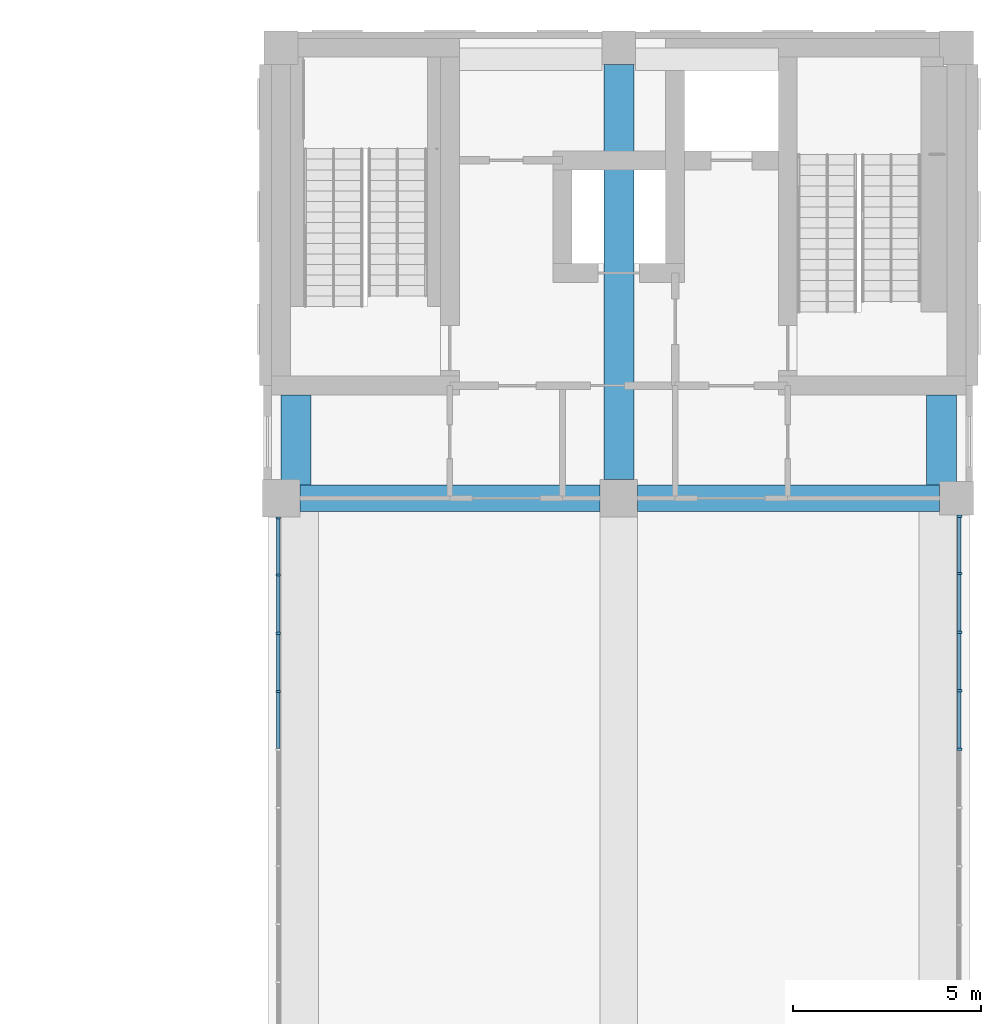
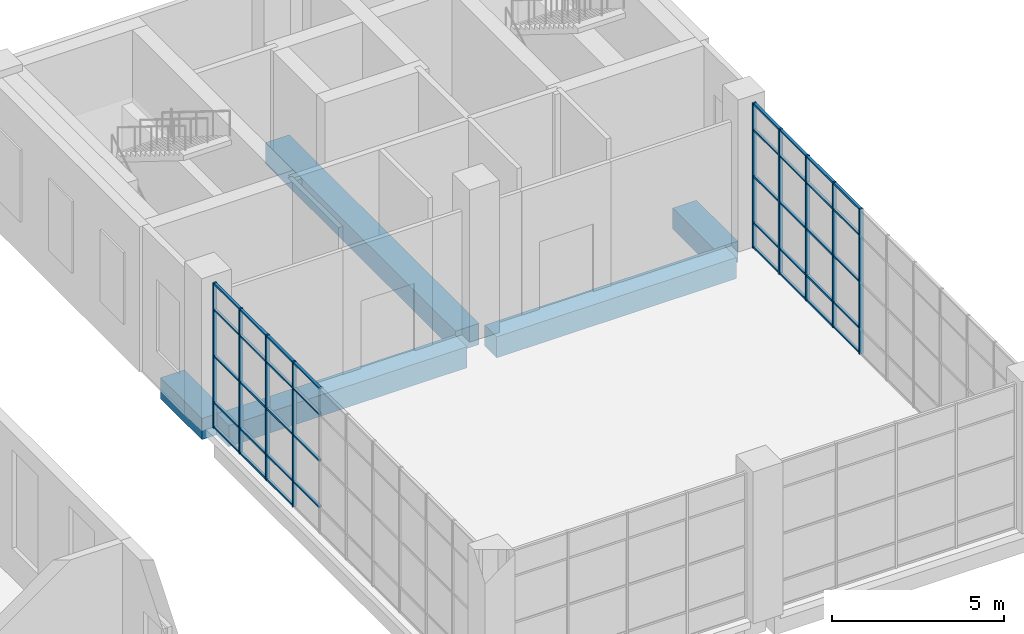
# One storey, part 8 of 33: 48 members, 5 beams, 2 elements without a shape of their own.
"""IFC4 building model written with IfcOpenShell, lengths in metres."""

import ifcopenshell
import ifcopenshell.guid

model = None  # the IFC model being written
_history = None  # IfcOwnerHistory: only IFC2X3 demands one
_inside = {}  # id of a spatial element -> (the spatial element, [elements in it])
_under = {}  # id of a project, library or spatial element -> (it, [spatial elements below it])
_declared = {}  # id of a project -> (the project, [libraries it declares])
_typed = {}  # id of a type object -> (the type object, [elements of that type])
_made_of = {}  # id of a material, layer set ... -> (it, [elements and type objects made of it])


def new_model(schema):
    """Start an empty IFC model of exactly this schema.

    Asked for "IFC4X3", IfcOpenShell would pick the latest addendum, in which some entities
    have other attributes; the version numbers below select the first issue.
    IFC2X3 requires an IfcOwnerHistory on every rooted entity: one is made here for all.
    """
    global model, _history
    if schema == "IFC4X3":
        model = ifcopenshell.file(schema_version=(4, 3, 0, 0))
    else:
        model = ifcopenshell.file(schema=schema)
    _inside.clear()
    _under.clear()
    _declared.clear()
    _typed.clear()
    _made_of.clear()
    _history = None
    if model.schema == "IFC2X3":
        org = make("IfcOrganization", Name="unknown")
        user = make(
            "IfcPersonAndOrganization",
            ThePerson=make("IfcPerson", FamilyName="unknown"),
            TheOrganization=org,
        )
        app = make(
            "IfcApplication",
            ApplicationDeveloper=org,
            Version="unknown",
            ApplicationFullName="unknown",
            ApplicationIdentifier="unknown",
        )
        _history = make(
            "IfcOwnerHistory",
            OwningUser=user,
            OwningApplication=app,
            ChangeAction="ADDED",
            CreationDate=0,
        )
    return model


def make(cls, **values):
    """One entity of the class cls with the attributes given. An attribute that is None is left unset."""
    return model.create_entity(
        cls, **{name: value for name, value in values.items() if value is not None}
    )


def rooted(cls, **values):
    """An entity with a GlobalId (a new one), such as an element, a storey or a relation."""
    return make(cls, GlobalId=ifcopenshell.guid.new(), OwnerHistory=_history, **values)


def si_unit(unit_type, name, prefix=None):
    """IfcSIUnit, for example si_unit("LENGTHUNIT", "METRE", prefix="MILLI")."""
    return make("IfcSIUnit", UnitType=unit_type, Prefix=prefix, Name=name)


def assignment(units):
    """IfcUnitAssignment: the units of a project."""
    return None if units is None else make("IfcUnitAssignment", Units=units)


def point(xyz):
    """IfcCartesianPoint."""
    return None if xyz is None else make("IfcCartesianPoint", Coordinates=xyz)


def direction(xyz):
    """IfcDirection."""
    return None if xyz is None else make("IfcDirection", DirectionRatios=xyz)


def frame(location, z_axis=None, x_axis=None):
    """IfcAxis2Placement3D, a coordinate frame: its origin and axes. An axis left out is left unset."""
    return make(
        "IfcAxis2Placement3D",
        Location=point(location),
        Axis=direction(z_axis),
        RefDirection=direction(x_axis),
    )


def frame_2d(location, x_axis=None):
    """IfcAxis2Placement2D, a coordinate frame in the plane: its origin and x axis."""
    return make(
        "IfcAxis2Placement2D", Location=point(location), RefDirection=direction(x_axis)
    )


def origin():
    """The frame at (0, 0, 0) with its axes left unset."""
    return frame((0.0, 0.0, 0.0))


def origin_2d():
    """The frame at (0, 0) in the plane with its x axis left unset."""
    return frame_2d((0.0, 0.0))


def place(relative_to, where):
    """IfcLocalPlacement: puts the frame where relative to a parent placement (None: the world)."""
    return make(
        "IfcLocalPlacement", PlacementRelTo=relative_to, RelativePlacement=where
    )


def context(
    kind, dimensions, precision=None, world=None, true_north=None, identifier=None
):
    """IfcGeometricRepresentationContext, for example the 3D "Model" context."""
    return make(
        "IfcGeometricRepresentationContext",
        ContextIdentifier=identifier,
        ContextType=kind,
        CoordinateSpaceDimension=dimensions,
        Precision=precision,
        WorldCoordinateSystem=world,
        TrueNorth=true_north,
    )


def subcontext(parent, identifier, kind, view, scale=None):
    """IfcGeometricRepresentationSubContext, for example "Body" below "Model"."""
    return make(
        "IfcGeometricRepresentationSubContext",
        ContextIdentifier=identifier,
        ContextType=kind,
        ParentContext=parent,
        TargetScale=scale,
        TargetView=view,
    )


def project(units=None, contexts=None):
    """IfcProject with its units and contexts."""
    return rooted(
        "IfcProject",
        Name="project",
        RepresentationContexts=contexts,
        UnitsInContext=assignment(units),
    )


def spatial(cls, under=None, at=None, **own):
    """A site, building, storey or space (cls), placed at a placement, below another one or the project."""
    s = rooted(cls, ObjectPlacement=at, **own)
    if under is not None:
        _under.setdefault(under.id(), (under, []))[1].append(s)
    return s


def profile(cls, at=None, kind="AREA", **sizes):
    """A parametric profile (cls). Its sizes go by their IFC names, for example OverallWidth=200.0."""
    return make(cls, ProfileType=kind, Position=at, **sizes)


def rectangle(**sizes):
    """IfcRectangleProfileDef."""
    return profile("IfcRectangleProfileDef", **sizes)


def extrude(swept, where, along, depth):
    """IfcExtrudedAreaSolid: the profile swept, set in the frame where, extruded along a direction by depth."""
    return make(
        "IfcExtrudedAreaSolid",
        SweptArea=swept,
        Position=where,
        ExtrudedDirection=direction(along),
        Depth=depth,
    )


def shape(context_of_items, identifier, shape_type, items):
    """IfcShapeRepresentation: the items that make up one representation, for example the "Body"."""
    return make(
        "IfcShapeRepresentation",
        ContextOfItems=context_of_items,
        RepresentationIdentifier=identifier,
        RepresentationType=shape_type,
        Items=items,
    )


def material(Name=None, Category=None):
    """IfcMaterial."""
    return make("IfcMaterial", Name=Name, Category=Category)


def layer(
    of_material, thickness, ventilated=None, Name=None, Category=None, Priority=None
):
    """IfcMaterialLayer: one layer of a wall or slab, of a material (None: an air gap)."""
    return make(
        "IfcMaterialLayer",
        Material=of_material,
        LayerThickness=thickness,
        IsVentilated=ventilated,
        Name=Name,
        Category=Category,
        Priority=Priority,
    )


def layer_set(layers, Name=None):
    """IfcMaterialLayerSet."""
    return make("IfcMaterialLayerSet", MaterialLayers=layers, LayerSetName=Name)


def material_profile(
    of_material, cross_section, Name=None, Category=None, Priority=None
):
    """IfcMaterialProfile: a cross section and its material."""
    return make(
        "IfcMaterialProfile",
        Name=Name,
        Material=of_material,
        Profile=cross_section,
        Priority=Priority,
        Category=Category,
    )


def profile_set(profiles, Name=None, composite=None):
    """IfcMaterialProfileSet."""
    return make(
        "IfcMaterialProfileSet",
        Name=Name,
        MaterialProfiles=profiles,
        CompositeProfile=composite,
    )


def made_of(thing, what):
    """Note that an element or type object is made of a material, layer set ...; save() writes the relation."""
    if what is not None:
        _made_of.setdefault(what.id(), (what, []))[1].append(thing)
    return thing


def type_object(cls, material=None, **own):
    """A type object (cls), such as IfcWallType, which elements share."""
    return made_of(rooted(cls, **own), material)


def element(
    cls,
    number,
    at=None,
    inside=None,
    cuts=None,
    type_object=None,
    material=None,
    context=None,
    identifier="Body",
    shape_type=None,
    held_by="IfcProductDefinitionShape",
    body=None,
    shapes=None,
    **own,
):
    """One element of the class cls, such as IfcWall. Its Tag is "e" and its number.

    at: its placement. inside: the storey or other place that contains it. cuts: it is an
    opening in that element (IfcRelVoidsElement). A single representation is given by context,
    identifier, shape_type and body (its items); several are given by shapes. held_by: the class
    of the entity that holds the representations. save() writes the other relations.
    """
    e = rooted(cls, Tag="e%d" % number, ObjectPlacement=at, **own)
    if body is not None:
        shapes = [shape(context, identifier, shape_type, body)]
    if shapes is not None:
        e.Representation = make(held_by, Representations=shapes)
    if inside is not None:
        _inside.setdefault(inside.id(), (inside, []))[1].append(e)
    if cuts is not None:
        rooted(
            "IfcRelVoidsElement", RelatingBuildingElement=cuts, RelatedOpeningElement=e
        )
    if type_object is not None:
        _typed.setdefault(type_object.id(), (type_object, []))[1].append(e)
    return made_of(e, material)


def aggregate(whole, parts):
    """IfcRelAggregates: a whole, such as a stair, and the parts it consists of."""
    return rooted("IfcRelAggregates", RelatingObject=whole, RelatedObjects=parts)


def save(model, path):
    """Write the relations noted so far, then the file.

    IfcRelAggregates (storeys below a building ...), IfcRelContainedInSpatialStructure (elements
    in a storey), IfcRelDefinesByType, IfcRelAssociatesMaterial and IfcRelDeclares: one each for
    every whole, place, type object, material and project.
    """
    for whole, parts in _under.values():
        aggregate(whole, parts)
    for where, things in _inside.values():
        rooted(
            "IfcRelContainedInSpatialStructure",
            RelatedElements=things,
            RelatingStructure=where,
        )
    for kind, things in _typed.values():
        rooted("IfcRelDefinesByType", RelatedObjects=things, RelatingType=kind)
    for what, things in _made_of.values():
        rooted("IfcRelAssociatesMaterial", RelatedObjects=things, RelatingMaterial=what)
    for by, libraries in _declared.values():
        rooted("IfcRelDeclares", RelatingContext=by, RelatedDefinitions=libraries)
    model.write(path)


model = new_model("IFC4")

# Units and contexts
model_context = context("Model", 3, precision=1e-05, world=origin(), true_north=direction((0.0, 1.0)))
body_context = subcontext(model_context, "Body", "Model", "MODEL_VIEW")
ifc_project = project(units=[si_unit("LENGTHUNIT", "METRE"), si_unit("AREAUNIT", "SQUARE_METRE"), si_unit("VOLUMEUNIT", "CUBIC_METRE"), si_unit("PLANEANGLEUNIT", "RADIAN"), si_unit("MASSUNIT", "GRAM", prefix="KILO")], contexts=[model_context])

# Site, building, storey
site_placement = place(None, origin())
site = spatial("IfcSite", under=ifc_project, at=site_placement, CompositionType="ELEMENT")
building_placement = place(site_placement, origin())
building = spatial("IfcBuilding", under=site, at=building_placement, Name="Aurelan Courthouse", CompositionType="ELEMENT")
storey_placement = place(building_placement, frame((0.0, 0.0, 22.800048828125)))
storey = spatial("IfcBuildingStorey", under=building, at=storey_placement, Name="L04", CompositionType="ELEMENT", Elevation=22.800048828125)

# Curtain wall, members
ifc_material_1 = material(Name="Bronze-finished aluminium and glass", Category="aluminium")
ifc_layer_1 = layer(ifc_material_1, 0.14990234375)
ifc_layer_set_1 = layer_set([ifc_layer_1], Name="Bronze-finished aluminium and glass")
curtain_wall_type_1 = type_object("IfcCurtainWallType", Name="Curtain wall 15600 x 5150", PredefinedType="NOTDEFINED", material=ifc_layer_set_1)
curtain_wall_1_placement = place(storey_placement, origin())
curtain_wall_1 = element("IfcCurtainWall", 1, at=curtain_wall_1_placement, inside=storey, type_object=curtain_wall_type_1, Name="Curtain wall CW-V3-L04-E01", PredefinedType="NOTDEFINED")
ifc_material_2 = material(Name="Bronze-finished aluminium", Category="aluminium")
ifc_material_profile_1 = material_profile(ifc_material_2, rectangle(XDim=0.125, YDim=0.06005859375, at=origin_2d()), Name="Bronze mullion 60 x 125")
ifc_profile_set_1 = profile_set([ifc_material_profile_1], Name="Bronze-finished aluminium")
member_type_1 = type_object("IfcMemberType", Name="Curtain wall mullion 60 x 125", PredefinedType="MULLION", material=ifc_profile_set_1)
member_1_placement = place(storey_placement, frame((90.074951171875, 47.31005859375, 0.0), z_axis=(0.0, 0.0, 1.0), x_axis=(-1.0, 0.0, 0.0)))
member_1 = element("IfcMember", 2, at=member_1_placement, type_object=member_type_1, Name="CW-V3-L04-E01 mullion 7", PredefinedType="MULLION", context=body_context, shape_type="SweptSolid", body=[
    extrude(rectangle(XDim=0.125, YDim=0.06005859375, at=origin_2d()), origin(), (0.0, 0.0, 1.0), 5.14990234375),
])
member_2_placement = place(storey_placement, frame((90.074951171875, 48.8701171875, 0.0), z_axis=(0.0, 0.0, 1.0), x_axis=(-1.0, 0.0, 0.0)))
member_2 = element("IfcMember", 3, at=member_2_placement, type_object=member_type_1, Name="CW-V3-L04-E01 mullion 8", PredefinedType="MULLION", context=body_context, shape_type="SweptSolid", body=[
    extrude(rectangle(XDim=0.125, YDim=0.06005859375, at=origin_2d()), origin(), (0.0, 0.0, 1.0), 5.14990234375),
])
member_3_placement = place(storey_placement, frame((90.074951171875, 50.429931640625, 0.0), z_axis=(0.0, 0.0, 1.0), x_axis=(-1.0, 0.0, 0.0)))
member_3 = element("IfcMember", 4, at=member_3_placement, type_object=member_type_1, Name="CW-V3-L04-E01 mullion 9", PredefinedType="MULLION", context=body_context, shape_type="SweptSolid", body=[
    extrude(rectangle(XDim=0.125, YDim=0.06005859375, at=origin_2d()), origin(), (0.0, 0.0, 1.0), 5.14990234375),
])
member_4_placement = place(storey_placement, frame((90.074951171875, 51.989990234375, 0.0), z_axis=(0.0, 0.0, 1.0), x_axis=(-1.0, 0.0, 0.0)))
member_4 = element("IfcMember", 5, at=member_4_placement, type_object=member_type_1, Name="CW-V3-L04-E01 mullion 10", PredefinedType="MULLION", context=body_context, shape_type="SweptSolid", body=[
    extrude(rectangle(XDim=0.125, YDim=0.06005859375, at=origin_2d()), origin(), (0.0, 0.0, 1.0), 5.14990234375),
])
member_5_placement = place(storey_placement, frame((90.074951171875, 53.52001953125, 0.0), z_axis=(0.0, 0.0, 1.0), x_axis=(-1.0, 0.0, 0.0)))
member_5 = element("IfcMember", 6, at=member_5_placement, type_object=member_type_1, Name="CW-V3-L04-E01 mullion 11", PredefinedType="MULLION", context=body_context, shape_type="SweptSolid", body=[
    extrude(rectangle(XDim=0.125, YDim=0.06005859375, at=origin_2d()), origin(), (0.0, 0.0, 1.0), 5.14990234375),
])

ifc_layer_2 = layer(ifc_material_1, 0.14990234375)
ifc_layer_set_2 = layer_set([ifc_layer_2], Name="Bronze-finished aluminium and glass")
curtain_wall_type_2 = type_object("IfcCurtainWallType", Name="Curtain wall 15500 x 5150", PredefinedType="NOTDEFINED", material=ifc_layer_set_2)
curtain_wall_2_placement = place(storey_placement, origin())
curtain_wall_2 = element("IfcCurtainWall", 7, at=curtain_wall_2_placement, inside=storey, type_object=curtain_wall_type_2, Name="Curtain wall CW-V3-L04-W01", PredefinedType="NOTDEFINED")
member_6_placement = place(storey_placement, frame((71.925048828125, 48.85009765625, 0.0), z_axis=(0.0, 0.0, 1.0), x_axis=(-1.0, 0.0, 0.0)))
member_6 = element("IfcMember", 8, at=member_6_placement, type_object=member_type_1, Name="CW-V3-L04-W01 mullion 8", PredefinedType="MULLION", context=body_context, shape_type="SweptSolid", body=[
    extrude(rectangle(XDim=0.125, YDim=0.06005859375, at=origin_2d()), origin(), (0.0, 0.0, 1.0), 5.14990234375),
])
member_7_placement = place(storey_placement, frame((71.925048828125, 50.39990234375, 0.0), z_axis=(0.0, 0.0, 1.0), x_axis=(-1.0, 0.0, 0.0)))
member_7 = element("IfcMember", 9, at=member_7_placement, type_object=member_type_1, Name="CW-V3-L04-W01 mullion 9", PredefinedType="MULLION", context=body_context, shape_type="SweptSolid", body=[
    extrude(rectangle(XDim=0.125, YDim=0.06005859375, at=origin_2d()), origin(), (0.0, 0.0, 1.0), 5.14990234375),
])
member_8_placement = place(storey_placement, frame((71.925048828125, 51.949951171875, 0.0), z_axis=(0.0, 0.0, 1.0), x_axis=(-1.0, 0.0, 0.0)))
member_8 = element("IfcMember", 10, at=member_8_placement, type_object=member_type_1, Name="CW-V3-L04-W01 mullion 10", PredefinedType="MULLION", context=body_context, shape_type="SweptSolid", body=[
    extrude(rectangle(XDim=0.125, YDim=0.06005859375, at=origin_2d()), origin(), (0.0, 0.0, 1.0), 5.14990234375),
])
member_9_placement = place(storey_placement, frame((71.925048828125, 53.469970703125, 0.0), z_axis=(0.0, 0.0, 1.0), x_axis=(-1.0, 0.0, 0.0)))
member_9 = element("IfcMember", 11, at=member_9_placement, type_object=member_type_1, Name="CW-V3-L04-W01 mullion 11", PredefinedType="MULLION", context=body_context, shape_type="SweptSolid", body=[
    extrude(rectangle(XDim=0.125, YDim=0.06005859375, at=origin_2d()), origin(), (0.0, 0.0, 1.0), 5.14990234375),
])

# Member
ifc_material_profile_2 = material_profile(ifc_material_2, rectangle(XDim=0.090087890625, YDim=0.06005859375, at=origin_2d()), Name="Bronze transom 60 x 90")
ifc_profile_set_2 = profile_set([ifc_material_profile_2], Name="Bronze-finished aluminium")
member_type_2 = type_object("IfcMemberType", Name="Curtain wall transom 60 x 90", PredefinedType="USERDEFINED", material=ifc_profile_set_2)
member_10_placement = place(storey_placement, frame((90.074951171875, 47.340087890625, 0.030029296875), z_axis=(0.0, 1.0, 0.0), x_axis=(-1.0, 0.0, 0.0)))
member_10 = element("IfcMember", 12, at=member_10_placement, type_object=member_type_2, Name="CW-V3-L04-E01 transom 7.1", ObjectType="TRANSOM", PredefinedType="USERDEFINED", context=body_context, shape_type="SweptSolid", body=[
    extrude(rectangle(XDim=0.090087890625, YDim=0.06005859375, at=origin_2d()), origin(), (0.0, 0.0, 1.0), 1.5),
])

member_11_placement = place(storey_placement, frame((90.074951171875, 47.340087890625, 0.89990234375), z_axis=(0.0, 1.0, 0.0), x_axis=(-1.0, 0.0, 0.0)))
member_11 = element("IfcMember", 13, at=member_11_placement, type_object=member_type_2, Name="CW-V3-L04-E01 transom 7.2", ObjectType="TRANSOM", PredefinedType="USERDEFINED", context=body_context, shape_type="SweptSolid", body=[
    extrude(rectangle(XDim=0.090087890625, YDim=0.06005859375, at=origin_2d()), origin(), (0.0, 0.0, 1.0), 1.5),
])

member_12_placement = place(storey_placement, frame((90.074951171875, 47.340087890625, 2.550048828125), z_axis=(0.0, 1.0, 0.0), x_axis=(-1.0, 0.0, 0.0)))
member_12 = element("IfcMember", 14, at=member_12_placement, type_object=member_type_2, Name="CW-V3-L04-E01 transom 7.3", ObjectType="TRANSOM", PredefinedType="USERDEFINED", context=body_context, shape_type="SweptSolid", body=[
    extrude(rectangle(XDim=0.090087890625, YDim=0.06005859375, at=origin_2d()), origin(), (0.0, 0.0, 1.0), 1.5),
])

member_13_placement = place(storey_placement, frame((90.074951171875, 47.340087890625, 4.199951171875), z_axis=(0.0, 1.0, 0.0), x_axis=(-1.0, 0.0, 0.0)))
member_13 = element("IfcMember", 15, at=member_13_placement, type_object=member_type_2, Name="CW-V3-L04-E01 transom 7.4", ObjectType="TRANSOM", PredefinedType="USERDEFINED", context=body_context, shape_type="SweptSolid", body=[
    extrude(rectangle(XDim=0.090087890625, YDim=0.06005859375, at=origin_2d()), origin(), (0.0, 0.0, 1.0), 1.5),
])

member_14_placement = place(storey_placement, frame((90.074951171875, 47.340087890625, 5.119873046875), z_axis=(0.0, 1.0, 0.0), x_axis=(-1.0, 0.0, 0.0)))
member_14 = element("IfcMember", 16, at=member_14_placement, type_object=member_type_2, Name="CW-V3-L04-E01 transom 7.5", ObjectType="TRANSOM", PredefinedType="USERDEFINED", context=body_context, shape_type="SweptSolid", body=[
    extrude(rectangle(XDim=0.090087890625, YDim=0.06005859375, at=origin_2d()), origin(), (0.0, 0.0, 1.0), 1.5),
])

member_15_placement = place(storey_placement, frame((90.074951171875, 48.89990234375, 0.030029296875), z_axis=(0.0, 1.0, 0.0), x_axis=(-1.0, 0.0, 0.0)))
member_15 = element("IfcMember", 17, at=member_15_placement, type_object=member_type_2, Name="CW-V3-L04-E01 transom 8.1", ObjectType="TRANSOM", PredefinedType="USERDEFINED", context=body_context, shape_type="SweptSolid", body=[
    extrude(rectangle(XDim=0.090087890625, YDim=0.06005859375, at=origin_2d()), origin(), (0.0, 0.0, 1.0), 1.5),
])

member_16_placement = place(storey_placement, frame((90.074951171875, 48.89990234375, 0.89990234375), z_axis=(0.0, 1.0, 0.0), x_axis=(-1.0, 0.0, 0.0)))
member_16 = element("IfcMember", 18, at=member_16_placement, type_object=member_type_2, Name="CW-V3-L04-E01 transom 8.2", ObjectType="TRANSOM", PredefinedType="USERDEFINED", context=body_context, shape_type="SweptSolid", body=[
    extrude(rectangle(XDim=0.090087890625, YDim=0.06005859375, at=origin_2d()), origin(), (0.0, 0.0, 1.0), 1.5),
])

member_17_placement = place(storey_placement, frame((90.074951171875, 48.89990234375, 2.550048828125), z_axis=(0.0, 1.0, 0.0), x_axis=(-1.0, 0.0, 0.0)))
member_17 = element("IfcMember", 19, at=member_17_placement, type_object=member_type_2, Name="CW-V3-L04-E01 transom 8.3", ObjectType="TRANSOM", PredefinedType="USERDEFINED", context=body_context, shape_type="SweptSolid", body=[
    extrude(rectangle(XDim=0.090087890625, YDim=0.06005859375, at=origin_2d()), origin(), (0.0, 0.0, 1.0), 1.5),
])

member_18_placement = place(storey_placement, frame((90.074951171875, 48.89990234375, 4.199951171875), z_axis=(0.0, 1.0, 0.0), x_axis=(-1.0, 0.0, 0.0)))
member_18 = element("IfcMember", 20, at=member_18_placement, type_object=member_type_2, Name="CW-V3-L04-E01 transom 8.4", ObjectType="TRANSOM", PredefinedType="USERDEFINED", context=body_context, shape_type="SweptSolid", body=[
    extrude(rectangle(XDim=0.090087890625, YDim=0.06005859375, at=origin_2d()), origin(), (0.0, 0.0, 1.0), 1.5),
])

member_19_placement = place(storey_placement, frame((90.074951171875, 48.89990234375, 5.119873046875), z_axis=(0.0, 1.0, 0.0), x_axis=(-1.0, 0.0, 0.0)))
member_19 = element("IfcMember", 21, at=member_19_placement, type_object=member_type_2, Name="CW-V3-L04-E01 transom 8.5", ObjectType="TRANSOM", PredefinedType="USERDEFINED", context=body_context, shape_type="SweptSolid", body=[
    extrude(rectangle(XDim=0.090087890625, YDim=0.06005859375, at=origin_2d()), origin(), (0.0, 0.0, 1.0), 1.5),
])

member_20_placement = place(storey_placement, frame((90.074951171875, 50.4599609375, 0.030029296875), z_axis=(0.0, 1.0, 0.0), x_axis=(-1.0, 0.0, 0.0)))
member_20 = element("IfcMember", 22, at=member_20_placement, type_object=member_type_2, Name="CW-V3-L04-E01 transom 9.1", ObjectType="TRANSOM", PredefinedType="USERDEFINED", context=body_context, shape_type="SweptSolid", body=[
    extrude(rectangle(XDim=0.090087890625, YDim=0.06005859375, at=origin_2d()), origin(), (0.0, 0.0, 1.0), 1.5),
])

member_21_placement = place(storey_placement, frame((90.074951171875, 50.4599609375, 0.89990234375), z_axis=(0.0, 1.0, 0.0), x_axis=(-1.0, 0.0, 0.0)))
member_21 = element("IfcMember", 23, at=member_21_placement, type_object=member_type_2, Name="CW-V3-L04-E01 transom 9.2", ObjectType="TRANSOM", PredefinedType="USERDEFINED", context=body_context, shape_type="SweptSolid", body=[
    extrude(rectangle(XDim=0.090087890625, YDim=0.06005859375, at=origin_2d()), origin(), (0.0, 0.0, 1.0), 1.5),
])

member_22_placement = place(storey_placement, frame((90.074951171875, 50.4599609375, 2.550048828125), z_axis=(0.0, 1.0, 0.0), x_axis=(-1.0, 0.0, 0.0)))
member_22 = element("IfcMember", 24, at=member_22_placement, type_object=member_type_2, Name="CW-V3-L04-E01 transom 9.3", ObjectType="TRANSOM", PredefinedType="USERDEFINED", context=body_context, shape_type="SweptSolid", body=[
    extrude(rectangle(XDim=0.090087890625, YDim=0.06005859375, at=origin_2d()), origin(), (0.0, 0.0, 1.0), 1.5),
])

member_23_placement = place(storey_placement, frame((90.074951171875, 50.4599609375, 4.199951171875), z_axis=(0.0, 1.0, 0.0), x_axis=(-1.0, 0.0, 0.0)))
member_23 = element("IfcMember", 25, at=member_23_placement, type_object=member_type_2, Name="CW-V3-L04-E01 transom 9.4", ObjectType="TRANSOM", PredefinedType="USERDEFINED", context=body_context, shape_type="SweptSolid", body=[
    extrude(rectangle(XDim=0.090087890625, YDim=0.06005859375, at=origin_2d()), origin(), (0.0, 0.0, 1.0), 1.5),
])

member_24_placement = place(storey_placement, frame((90.074951171875, 50.4599609375, 5.119873046875), z_axis=(0.0, 1.0, 0.0), x_axis=(-1.0, 0.0, 0.0)))
member_24 = element("IfcMember", 26, at=member_24_placement, type_object=member_type_2, Name="CW-V3-L04-E01 transom 9.5", ObjectType="TRANSOM", PredefinedType="USERDEFINED", context=body_context, shape_type="SweptSolid", body=[
    extrude(rectangle(XDim=0.090087890625, YDim=0.06005859375, at=origin_2d()), origin(), (0.0, 0.0, 1.0), 1.5),
])

member_25_placement = place(storey_placement, frame((90.074951171875, 52.02001953125, 0.030029296875), z_axis=(0.0, 1.0, 0.0), x_axis=(-1.0, 0.0, 0.0)))
member_25 = element("IfcMember", 27, at=member_25_placement, type_object=member_type_2, Name="CW-V3-L04-E01 transom 10.1", ObjectType="TRANSOM", PredefinedType="USERDEFINED", context=body_context, shape_type="SweptSolid", body=[
    extrude(rectangle(XDim=0.090087890625, YDim=0.06005859375, at=origin_2d()), origin(), (0.0, 0.0, 1.0), 1.469970703125),
])

member_26_placement = place(storey_placement, frame((90.074951171875, 52.02001953125, 0.89990234375), z_axis=(0.0, 1.0, 0.0), x_axis=(-1.0, 0.0, 0.0)))
member_26 = element("IfcMember", 28, at=member_26_placement, type_object=member_type_2, Name="CW-V3-L04-E01 transom 10.2", ObjectType="TRANSOM", PredefinedType="USERDEFINED", context=body_context, shape_type="SweptSolid", body=[
    extrude(rectangle(XDim=0.090087890625, YDim=0.06005859375, at=origin_2d()), origin(), (0.0, 0.0, 1.0), 1.469970703125),
])

member_27_placement = place(storey_placement, frame((90.074951171875, 52.02001953125, 2.550048828125), z_axis=(0.0, 1.0, 0.0), x_axis=(-1.0, 0.0, 0.0)))
member_27 = element("IfcMember", 29, at=member_27_placement, type_object=member_type_2, Name="CW-V3-L04-E01 transom 10.3", ObjectType="TRANSOM", PredefinedType="USERDEFINED", context=body_context, shape_type="SweptSolid", body=[
    extrude(rectangle(XDim=0.090087890625, YDim=0.06005859375, at=origin_2d()), origin(), (0.0, 0.0, 1.0), 1.469970703125),
])

member_28_placement = place(storey_placement, frame((90.074951171875, 52.02001953125, 4.199951171875), z_axis=(0.0, 1.0, 0.0), x_axis=(-1.0, 0.0, 0.0)))
member_28 = element("IfcMember", 30, at=member_28_placement, type_object=member_type_2, Name="CW-V3-L04-E01 transom 10.4", ObjectType="TRANSOM", PredefinedType="USERDEFINED", context=body_context, shape_type="SweptSolid", body=[
    extrude(rectangle(XDim=0.090087890625, YDim=0.06005859375, at=origin_2d()), origin(), (0.0, 0.0, 1.0), 1.469970703125),
])

member_29_placement = place(storey_placement, frame((90.074951171875, 52.02001953125, 5.119873046875), z_axis=(0.0, 1.0, 0.0), x_axis=(-1.0, 0.0, 0.0)))
member_29 = element("IfcMember", 31, at=member_29_placement, type_object=member_type_2, Name="CW-V3-L04-E01 transom 10.5", ObjectType="TRANSOM", PredefinedType="USERDEFINED", context=body_context, shape_type="SweptSolid", body=[
    extrude(rectangle(XDim=0.090087890625, YDim=0.06005859375, at=origin_2d()), origin(), (0.0, 0.0, 1.0), 1.469970703125),
])

aggregate(curtain_wall_1, [member_1, member_2, member_3, member_4, member_5, member_10, member_11, member_12, member_13, member_14, member_15, member_16, member_17, member_18, member_19, member_20, member_21, member_22, member_23, member_24, member_25, member_26, member_27, member_28, member_29])

member_30_placement = place(storey_placement, frame((71.925048828125, 47.330078125, 0.89990234375), z_axis=(0.0, 1.0, 0.0), x_axis=(-1.0, 0.0, 0.0)))
member_30 = element("IfcMember", 32, at=member_30_placement, type_object=member_type_2, Name="CW-V3-L04-W01 transom 7.2", ObjectType="TRANSOM", PredefinedType="USERDEFINED", context=body_context, shape_type="SweptSolid", body=[
    extrude(rectangle(XDim=0.090087890625, YDim=0.06005859375, at=origin_2d()), origin(), (0.0, 0.0, 1.0), 1.489990234375),
])

member_31_placement = place(storey_placement, frame((71.925048828125, 47.330078125, 2.550048828125), z_axis=(0.0, 1.0, 0.0), x_axis=(-1.0, 0.0, 0.0)))
member_31 = element("IfcMember", 33, at=member_31_placement, type_object=member_type_2, Name="CW-V3-L04-W01 transom 7.3", ObjectType="TRANSOM", PredefinedType="USERDEFINED", context=body_context, shape_type="SweptSolid", body=[
    extrude(rectangle(XDim=0.090087890625, YDim=0.06005859375, at=origin_2d()), origin(), (0.0, 0.0, 1.0), 1.489990234375),
])

member_32_placement = place(storey_placement, frame((71.925048828125, 47.330078125, 4.199951171875), z_axis=(0.0, 1.0, 0.0), x_axis=(-1.0, 0.0, 0.0)))
member_32 = element("IfcMember", 34, at=member_32_placement, type_object=member_type_2, Name="CW-V3-L04-W01 transom 7.4", ObjectType="TRANSOM", PredefinedType="USERDEFINED", context=body_context, shape_type="SweptSolid", body=[
    extrude(rectangle(XDim=0.090087890625, YDim=0.06005859375, at=origin_2d()), origin(), (0.0, 0.0, 1.0), 1.489990234375),
])

member_33_placement = place(storey_placement, frame((71.925048828125, 47.330078125, 5.119873046875), z_axis=(0.0, 1.0, 0.0), x_axis=(-1.0, 0.0, 0.0)))
member_33 = element("IfcMember", 35, at=member_33_placement, type_object=member_type_2, Name="CW-V3-L04-W01 transom 7.5", ObjectType="TRANSOM", PredefinedType="USERDEFINED", context=body_context, shape_type="SweptSolid", body=[
    extrude(rectangle(XDim=0.090087890625, YDim=0.06005859375, at=origin_2d()), origin(), (0.0, 0.0, 1.0), 1.489990234375),
])

member_34_placement = place(storey_placement, frame((71.925048828125, 48.8798828125, 0.030029296875), z_axis=(0.0, 1.0, 0.0), x_axis=(-1.0, 0.0, 0.0)))
member_34 = element("IfcMember", 36, at=member_34_placement, type_object=member_type_2, Name="CW-V3-L04-W01 transom 8.1", ObjectType="TRANSOM", PredefinedType="USERDEFINED", context=body_context, shape_type="SweptSolid", body=[
    extrude(rectangle(XDim=0.090087890625, YDim=0.06005859375, at=origin_2d()), origin(), (0.0, 0.0, 1.0), 1.490234375),
])

member_35_placement = place(storey_placement, frame((71.925048828125, 48.8798828125, 0.89990234375), z_axis=(0.0, 1.0, 0.0), x_axis=(-1.0, 0.0, 0.0)))
member_35 = element("IfcMember", 37, at=member_35_placement, type_object=member_type_2, Name="CW-V3-L04-W01 transom 8.2", ObjectType="TRANSOM", PredefinedType="USERDEFINED", context=body_context, shape_type="SweptSolid", body=[
    extrude(rectangle(XDim=0.090087890625, YDim=0.06005859375, at=origin_2d()), origin(), (0.0, 0.0, 1.0), 1.490234375),
])

member_36_placement = place(storey_placement, frame((71.925048828125, 48.8798828125, 2.550048828125), z_axis=(0.0, 1.0, 0.0), x_axis=(-1.0, 0.0, 0.0)))
member_36 = element("IfcMember", 38, at=member_36_placement, type_object=member_type_2, Name="CW-V3-L04-W01 transom 8.3", ObjectType="TRANSOM", PredefinedType="USERDEFINED", context=body_context, shape_type="SweptSolid", body=[
    extrude(rectangle(XDim=0.090087890625, YDim=0.06005859375, at=origin_2d()), origin(), (0.0, 0.0, 1.0), 1.490234375),
])

member_37_placement = place(storey_placement, frame((71.925048828125, 48.8798828125, 4.199951171875), z_axis=(0.0, 1.0, 0.0), x_axis=(-1.0, 0.0, 0.0)))
member_37 = element("IfcMember", 39, at=member_37_placement, type_object=member_type_2, Name="CW-V3-L04-W01 transom 8.4", ObjectType="TRANSOM", PredefinedType="USERDEFINED", context=body_context, shape_type="SweptSolid", body=[
    extrude(rectangle(XDim=0.090087890625, YDim=0.06005859375, at=origin_2d()), origin(), (0.0, 0.0, 1.0), 1.490234375),
])

member_38_placement = place(storey_placement, frame((71.925048828125, 48.8798828125, 5.119873046875), z_axis=(0.0, 1.0, 0.0), x_axis=(-1.0, 0.0, 0.0)))
member_38 = element("IfcMember", 40, at=member_38_placement, type_object=member_type_2, Name="CW-V3-L04-W01 transom 8.5", ObjectType="TRANSOM", PredefinedType="USERDEFINED", context=body_context, shape_type="SweptSolid", body=[
    extrude(rectangle(XDim=0.090087890625, YDim=0.06005859375, at=origin_2d()), origin(), (0.0, 0.0, 1.0), 1.490234375),
])

member_39_placement = place(storey_placement, frame((71.925048828125, 50.429931640625, 0.030029296875), z_axis=(0.0, 1.0, 0.0), x_axis=(-1.0, 0.0, 0.0)))
member_39 = element("IfcMember", 41, at=member_39_placement, type_object=member_type_2, Name="CW-V3-L04-W01 transom 9.1", ObjectType="TRANSOM", PredefinedType="USERDEFINED", context=body_context, shape_type="SweptSolid", body=[
    extrude(rectangle(XDim=0.090087890625, YDim=0.06005859375, at=origin_2d()), origin(), (0.0, 0.0, 1.0), 1.489990234375),
])

member_40_placement = place(storey_placement, frame((71.925048828125, 50.429931640625, 0.89990234375), z_axis=(0.0, 1.0, 0.0), x_axis=(-1.0, 0.0, 0.0)))
member_40 = element("IfcMember", 42, at=member_40_placement, type_object=member_type_2, Name="CW-V3-L04-W01 transom 9.2", ObjectType="TRANSOM", PredefinedType="USERDEFINED", context=body_context, shape_type="SweptSolid", body=[
    extrude(rectangle(XDim=0.090087890625, YDim=0.06005859375, at=origin_2d()), origin(), (0.0, 0.0, 1.0), 1.489990234375),
])

member_41_placement = place(storey_placement, frame((71.925048828125, 50.429931640625, 2.550048828125), z_axis=(0.0, 1.0, 0.0), x_axis=(-1.0, 0.0, 0.0)))
member_41 = element("IfcMember", 43, at=member_41_placement, type_object=member_type_2, Name="CW-V3-L04-W01 transom 9.3", ObjectType="TRANSOM", PredefinedType="USERDEFINED", context=body_context, shape_type="SweptSolid", body=[
    extrude(rectangle(XDim=0.090087890625, YDim=0.06005859375, at=origin_2d()), origin(), (0.0, 0.0, 1.0), 1.489990234375),
])

member_42_placement = place(storey_placement, frame((71.925048828125, 50.429931640625, 4.199951171875), z_axis=(0.0, 1.0, 0.0), x_axis=(-1.0, 0.0, 0.0)))
member_42 = element("IfcMember", 44, at=member_42_placement, type_object=member_type_2, Name="CW-V3-L04-W01 transom 9.4", ObjectType="TRANSOM", PredefinedType="USERDEFINED", context=body_context, shape_type="SweptSolid", body=[
    extrude(rectangle(XDim=0.090087890625, YDim=0.06005859375, at=origin_2d()), origin(), (0.0, 0.0, 1.0), 1.489990234375),
])

member_43_placement = place(storey_placement, frame((71.925048828125, 50.429931640625, 5.119873046875), z_axis=(0.0, 1.0, 0.0), x_axis=(-1.0, 0.0, 0.0)))
member_43 = element("IfcMember", 45, at=member_43_placement, type_object=member_type_2, Name="CW-V3-L04-W01 transom 9.5", ObjectType="TRANSOM", PredefinedType="USERDEFINED", context=body_context, shape_type="SweptSolid", body=[
    extrude(rectangle(XDim=0.090087890625, YDim=0.06005859375, at=origin_2d()), origin(), (0.0, 0.0, 1.0), 1.489990234375),
])

member_44_placement = place(storey_placement, frame((71.925048828125, 51.97998046875, 0.030029296875), z_axis=(0.0, 1.0, 0.0), x_axis=(-1.0, 0.0, 0.0)))
member_44 = element("IfcMember", 46, at=member_44_placement, type_object=member_type_2, Name="CW-V3-L04-W01 transom 10.1", ObjectType="TRANSOM", PredefinedType="USERDEFINED", context=body_context, shape_type="SweptSolid", body=[
    extrude(rectangle(XDim=0.090087890625, YDim=0.06005859375, at=origin_2d()), origin(), (0.0, 0.0, 1.0), 1.4599609375),
])

member_45_placement = place(storey_placement, frame((71.925048828125, 51.97998046875, 0.89990234375), z_axis=(0.0, 1.0, 0.0), x_axis=(-1.0, 0.0, 0.0)))
member_45 = element("IfcMember", 47, at=member_45_placement, type_object=member_type_2, Name="CW-V3-L04-W01 transom 10.2", ObjectType="TRANSOM", PredefinedType="USERDEFINED", context=body_context, shape_type="SweptSolid", body=[
    extrude(rectangle(XDim=0.090087890625, YDim=0.06005859375, at=origin_2d()), origin(), (0.0, 0.0, 1.0), 1.4599609375),
])

member_46_placement = place(storey_placement, frame((71.925048828125, 51.97998046875, 2.550048828125), z_axis=(0.0, 1.0, 0.0), x_axis=(-1.0, 0.0, 0.0)))
member_46 = element("IfcMember", 48, at=member_46_placement, type_object=member_type_2, Name="CW-V3-L04-W01 transom 10.3", ObjectType="TRANSOM", PredefinedType="USERDEFINED", context=body_context, shape_type="SweptSolid", body=[
    extrude(rectangle(XDim=0.090087890625, YDim=0.06005859375, at=origin_2d()), origin(), (0.0, 0.0, 1.0), 1.4599609375),
])

member_47_placement = place(storey_placement, frame((71.925048828125, 51.97998046875, 4.199951171875), z_axis=(0.0, 1.0, 0.0), x_axis=(-1.0, 0.0, 0.0)))
member_47 = element("IfcMember", 49, at=member_47_placement, type_object=member_type_2, Name="CW-V3-L04-W01 transom 10.4", ObjectType="TRANSOM", PredefinedType="USERDEFINED", context=body_context, shape_type="SweptSolid", body=[
    extrude(rectangle(XDim=0.090087890625, YDim=0.06005859375, at=origin_2d()), origin(), (0.0, 0.0, 1.0), 1.4599609375),
])

member_48_placement = place(storey_placement, frame((71.925048828125, 51.97998046875, 5.119873046875), z_axis=(0.0, 1.0, 0.0), x_axis=(-1.0, 0.0, 0.0)))
member_48 = element("IfcMember", 50, at=member_48_placement, type_object=member_type_2, Name="CW-V3-L04-W01 transom 10.5", ObjectType="TRANSOM", PredefinedType="USERDEFINED", context=body_context, shape_type="SweptSolid", body=[
    extrude(rectangle(XDim=0.090087890625, YDim=0.06005859375, at=origin_2d()), origin(), (0.0, 0.0, 1.0), 1.4599609375),
])

aggregate(curtain_wall_2, [member_6, member_7, member_8, member_9, member_30, member_31, member_32, member_33, member_34, member_35, member_36, member_37, member_38, member_39, member_40, member_41, member_42, member_43, member_44, member_45, member_46, member_47, member_48])

# Beams
ifc_material_3 = material(Name="Concrete C50", Category="concrete")
ifc_material_profile_3 = material_profile(ifc_material_3, rectangle(XDim=0.699951171875, YDim=0.75, at=origin_2d()), Name="RC 700 x 750")
ifc_profile_set_3 = profile_set([ifc_material_profile_3], Name="Concrete C50")
beam_type_1 = type_object("IfcBeamType", Name="PT beam 700 x 750", PredefinedType="BEAM", material=ifc_profile_set_3)
beam_1_placement = place(storey_placement, frame((72.5, 54.0, -0.625), z_axis=(1.0, 0.0, 0.0), x_axis=(0.0, 1.0, 0.0)))
element("IfcBeam", 51, at=beam_1_placement, inside=storey, type_object=beam_type_1, Name="Beam EB-E-9-10", PredefinedType="BEAM", context=body_context, shape_type="SweptSolid", body=[
    extrude(rectangle(XDim=0.699951171875, YDim=0.75, at=origin_2d()), origin(), (0.0, 0.0, 1.0), 8.0),
])
beam_2_placement = place(storey_placement, frame((81.5, 54.0, -0.625), z_axis=(1.0, 0.0, 0.0), x_axis=(0.0, 1.0, 0.0)))
element("IfcBeam", 52, at=beam_2_placement, inside=storey, type_object=beam_type_1, Name="Beam EB-E-10-11", PredefinedType="BEAM", context=body_context, shape_type="SweptSolid", body=[
    extrude(rectangle(XDim=0.699951171875, YDim=0.75, at=origin_2d()), origin(), (0.0, 0.0, 1.0), 8.050048828125),
])
ifc_material_profile_4 = material_profile(ifc_material_3, rectangle(XDim=0.800048828125, YDim=0.75, at=origin_2d()), Name="RC 800 x 750")
ifc_profile_set_4 = profile_set([ifc_material_profile_4], Name="Concrete C50")
beam_type_2 = type_object("IfcBeamType", Name="PT girder 800 x 750", PredefinedType="BEAM", material=ifc_profile_set_4)
beam_3_placement = place(storey_placement, frame((72.39990234375, 54.35009765625, -0.625), z_axis=(0.0, 1.0, 0.0), x_axis=(-1.0, 0.0, 0.0)))
element("IfcBeam", 53, at=beam_3_placement, inside=storey, type_object=beam_type_2, Name="Girder GB-9EF-E", PredefinedType="BEAM", context=body_context, shape_type="SweptSolid", body=[
    extrude(rectangle(XDim=0.800048828125, YDim=0.75, at=origin_2d()), origin(), (0.0, 0.0, 1.0), 2.39990234375),
])
beam_4_placement = place(storey_placement, frame((81.0, 54.5, -0.625), z_axis=(0.0, 1.0, 0.0), x_axis=(-1.0, 0.0, 0.0)))
element("IfcBeam", 54, at=beam_4_placement, inside=storey, type_object=beam_type_2, Name="Girder GB-10EF", PredefinedType="BEAM", context=body_context, shape_type="SweptSolid", body=[
    extrude(rectangle(XDim=0.800048828125, YDim=0.75, at=origin_2d()), origin(), (0.0, 0.0, 1.0), 11.050048828125),
])
beam_5_placement = place(storey_placement, frame((89.60009765625, 54.35009765625, -0.625), z_axis=(0.0, 1.0, 0.0), x_axis=(-1.0, 0.0, 0.0)))
element("IfcBeam", 55, at=beam_5_placement, inside=storey, type_object=beam_type_2, Name="Girder GB-11EF-E", PredefinedType="BEAM", context=body_context, shape_type="SweptSolid", body=[
    extrude(rectangle(XDim=0.800048828125, YDim=0.75, at=origin_2d()), origin(), (0.0, 0.0, 1.0), 2.39990234375),
])

save(model, "model.ifc")
